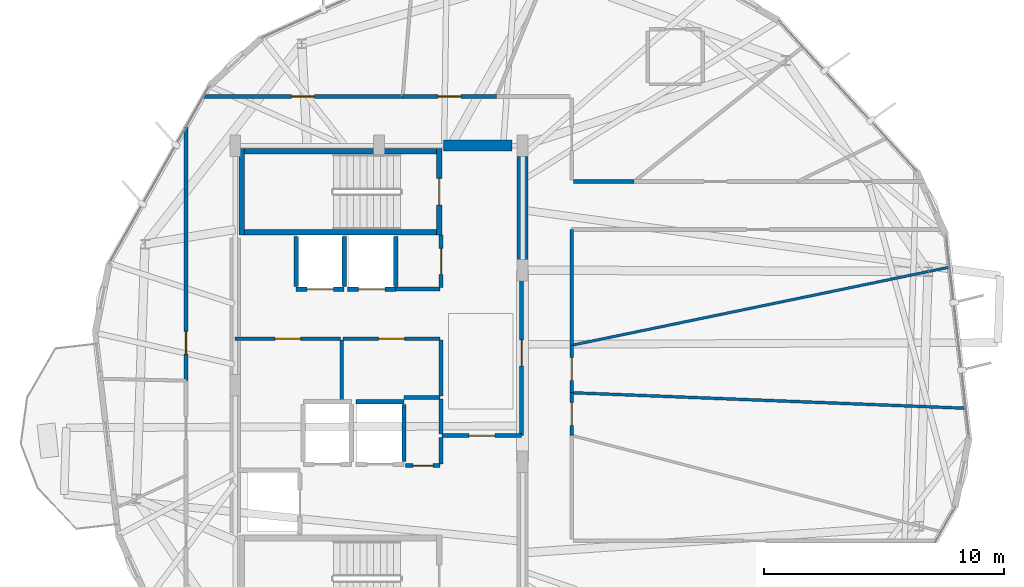
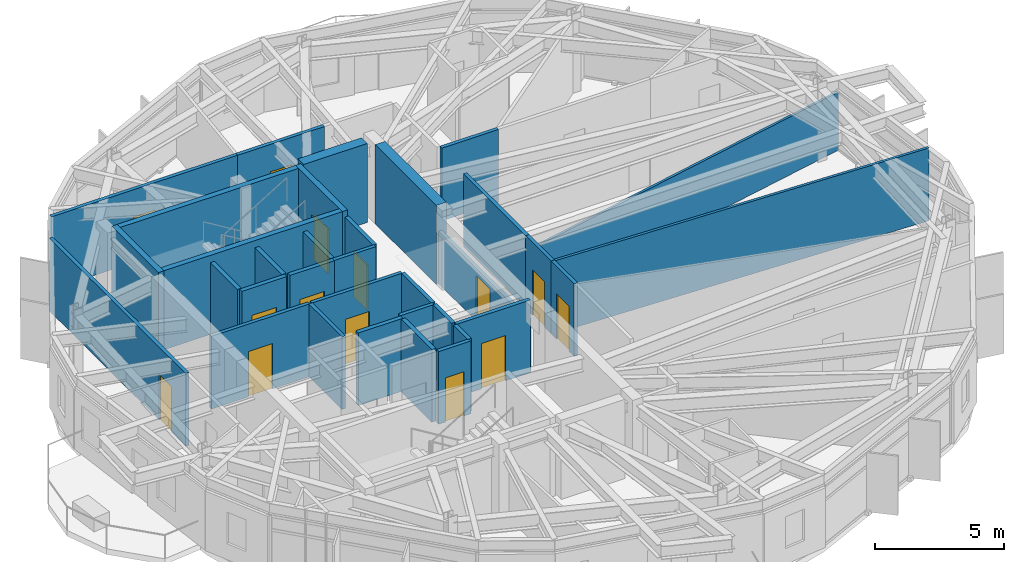
# One storey, part 18 of 23: 34 walls, 14 doors, 14 openings.
"""IFC4 building model written with IfcOpenShell, lengths in metres."""

from ifc_helpers import new_model, si_unit, direction, frame, frame_2d, origin, place, context, subcontext, project, spatial, rectangle, extrude, material, layer, layer_set, type_object, element, fill, save


model = new_model("IFC4")

# Units and contexts
model_context = context("Model", 3, precision=1e-05, world=origin(), true_north=direction((0.0, 1.0)))
body_context = subcontext(model_context, "Body", "Model", "MODEL_VIEW")
ifc_project = project(units=[si_unit("LENGTHUNIT", "METRE"), si_unit("AREAUNIT", "SQUARE_METRE"), si_unit("VOLUMEUNIT", "CUBIC_METRE"), si_unit("PLANEANGLEUNIT", "RADIAN"), si_unit("MASSUNIT", "GRAM", prefix="KILO")], contexts=[model_context])

# Site, building, storey
site_placement = place(None, origin())
site = spatial("IfcSite", under=ifc_project, at=site_placement, CompositionType="ELEMENT")
building_placement = place(site_placement, origin())
building = spatial("IfcBuilding", under=site, at=building_placement, Name="Soratama Intermodal Tower", CompositionType="ELEMENT")
storey_placement = place(building_placement, frame((0.0, 0.0, 261.25)))
storey = spatial("IfcBuildingStorey", under=building, at=storey_placement, Name="L66", CompositionType="ELEMENT", Elevation=261.25)

# Wall, opening, door
ifc_material_1 = material(Name="Fire-rated gypsum stud partition", Category="concrete")
ifc_layer_1 = layer(ifc_material_1, 0.159912109375)
ifc_layer_set_1 = layer_set([ifc_layer_1], Name="Fire-rated gypsum stud partition")
wall_type_1 = type_object("IfcWallType", Name="IW-PART-R160", PredefinedType="PARTITIONING", material=ifc_layer_set_1)
wall_1_placement = place(storey_placement, frame((30.550048828125, 25.18505859375, 0.0), z_axis=(0.0, 0.0, 1.0), x_axis=(0.0, 1.0, 0.0)))
wall_1 = element("IfcWall", 1, at=wall_1_placement, inside=storey, type_object=wall_type_1, Name="L66 Partition W-L66-TP007", PredefinedType="PARTITIONING", context=body_context, shape_type="SweptSolid", body=[
    extrude(rectangle(XDim=10.587890625, YDim=0.159912109375, at=frame_2d((5.2939453125, 0.0))), origin(), (0.0, 0.0, 1.0), 3.449951171875),
])
opening_1_placement = place(wall_1_placement, frame((1.113037109375, 0.0, 0.0)))
opening_1 = element("IfcOpeningElement", 2, at=opening_1_placement, cuts=wall_1, Name="Opening ID-3", PredefinedType="OPENING", context=body_context, shape_type="SweptSolid", body=[
    extrude(rectangle(XDim=0.949951171875, YDim=2.14990234375, at=frame_2d((0.47509765625, 1.074951171875))), frame((0.0, 0.08984375, 0.0), z_axis=(0.0, -1.0, 0.0), x_axis=(1.0, 0.0, 0.0)), (0.0, 0.0, 1.0), 0.179931640625),
])
ifc_material_2 = material(Name="Solid hardwood acoustic door", Category="wood")
door_type_1 = type_object("IfcDoorType", Name="DR-ROOM-950", OperationType="NOTDEFINED", PredefinedType="DOOR", material=ifc_material_2)
door_1_placement = place(opening_1_placement, origin())
door_1 = element("IfcDoor", 3, at=door_1_placement, inside=storey, type_object=door_type_1, Name="L66 Door D-L66-TP004", OperationType="SINGLE_SWING_LEFT", OverallHeight=2.14990234375, OverallWidth=0.949951171875, PredefinedType="DOOR", context=body_context, shape_type="SweptSolid", body=[
    extrude(rectangle(XDim=0.949951171875, YDim=2.14990234375, at=frame_2d((0.47509765625, 1.074951171875))), frame((0.0, 0.02490234375, 0.0), z_axis=(0.0, -1.0, 0.0), x_axis=(1.0, 0.0, 0.0)), (0.0, 0.0, 1.0), 0.050048828125),
])
fill(opening_1, door_1)

wall_2_placement = place(storey_placement, frame((31.27099609375, 37.050048828125, 0.0), z_axis=(0.0, 0.0, 1.0), x_axis=(1.0, 0.0, 0.0)))
wall_2 = element("IfcWall", 4, at=wall_2_placement, inside=storey, type_object=wall_type_1, Name="L66 Partition W-L66-TP010", PredefinedType="PARTITIONING", context=body_context, shape_type="SweptSolid", body=[
    extrude(rectangle(XDim=8.323974609375, YDim=0.159912109375, at=frame_2d((4.162109375, 0.0))), origin(), (0.0, 0.0, 1.0), 3.449951171875),
])
opening_2_placement = place(wall_2_placement, frame((3.68701171875, 0.0, 0.0)))
opening_2 = element("IfcOpeningElement", 5, at=opening_2_placement, cuts=wall_2, Name="Opening ID-3", PredefinedType="OPENING", context=body_context, shape_type="SweptSolid", body=[
    extrude(rectangle(XDim=0.949951171875, YDim=2.14990234375, at=frame_2d((0.47509765625, 1.074951171875))), frame((0.0, 0.08984375, 0.0), z_axis=(0.0, -1.0, 0.0), x_axis=(1.0, 0.0, 0.0)), (0.0, 0.0, 1.0), 0.179931640625),
])
door_2_placement = place(opening_2_placement, origin())
door_2 = element("IfcDoor", 6, at=door_2_placement, inside=storey, type_object=door_type_1, Name="L66 Door D-L66-TP005", OperationType="SINGLE_SWING_RIGHT", OverallHeight=2.14990234375, OverallWidth=0.949951171875, PredefinedType="DOOR", context=body_context, shape_type="SweptSolid", body=[
    extrude(rectangle(XDim=0.949951171875, YDim=2.14990234375, at=frame_2d((0.47509765625, 1.074951171875))), frame((0.0, 0.02490234375, 0.0), z_axis=(0.0, -1.0, 0.0), x_axis=(1.0, 0.0, 0.0)), (0.0, 0.0, 1.0), 0.050048828125),
])
fill(opening_2, door_2)

wall_3_placement = place(storey_placement, frame((44.56005859375, 29.800048828125, 0.0), z_axis=(0.0, 0.0, 1.0), x_axis=(0.0, -1.0, 0.0)))
wall_3 = element("IfcWall", 7, at=wall_3_placement, inside=storey, type_object=wall_type_1, Name="L66 Partition W-L66-TP012", PredefinedType="PARTITIONING", context=body_context, shape_type="SweptSolid", body=[
    extrude(rectangle(XDim=6.91015625, YDim=0.159912109375, at=frame_2d((3.455078125, 0.0))), origin(), (0.0, 0.0, 1.0), 2.489990234375),
])
opening_3_placement = place(wall_3_placement, frame((2.9150390625, 0.0, 0.0)))
opening_3 = element("IfcOpeningElement", 8, at=opening_3_placement, cuts=wall_3, Name="Opening ID-1", PredefinedType="OPENING", context=body_context, shape_type="SweptSolid", body=[
    extrude(rectangle(XDim=1.080078125, YDim=2.14990234375, at=frame_2d((0.5400390625, 1.074951171875))), frame((0.0, 0.08984375, 0.0), z_axis=(0.0, -1.0, 0.0), x_axis=(1.0, 0.0, 0.0)), (0.0, 0.0, 1.0), 0.179931640625),
])
ifc_material_3 = material(Name="Solid hardwood acoustic door", Category="wood")
door_type_2 = type_object("IfcDoorType", Name="DR-LOB-FD60", OperationType="NOTDEFINED", PredefinedType="DOOR", material=ifc_material_3)
door_3_placement = place(opening_3_placement, origin())
door_3 = element("IfcDoor", 9, at=door_3_placement, inside=storey, type_object=door_type_2, Name="L66 Door D-L66-TP006", OperationType="SINGLE_SWING_LEFT", OverallHeight=2.14990234375, OverallWidth=1.080078125, PredefinedType="DOOR", context=body_context, shape_type="SweptSolid", body=[
    extrude(rectangle(XDim=1.080078125, YDim=2.14990234375, at=frame_2d((0.5400390625, 1.074951171875))), frame((0.0, 0.02490234375, 0.0), z_axis=(0.0, -1.0, 0.0), x_axis=(1.0, 0.0, 0.0)), (0.0, 0.0, 1.0), 0.050048828125),
])
fill(opening_3, door_3)

# Wall
wall_4_placement = place(storey_placement, frame((46.64990234375, 31.5, 0.0), z_axis=(0.0, 0.0, 1.0), x_axis=(0.0, -1.0, 0.0)))
element("IfcWall", 10, at=wall_4_placement, inside=storey, type_object=wall_type_1, Name="L66 Partition W-L66-TP018", PredefinedType="PARTITIONING", context=body_context, shape_type="SweptSolid", body=[
    extrude(rectangle(XDim=4.8349609375, YDim=0.159912109375, at=frame_2d((2.41748046875, 0.0))), origin(), (0.0, 0.0, 1.0), 3.449951171875),
])

# Wall, opening, door
wall_5_placement = place(storey_placement, frame((36.989990234375, 26.93994140625, 0.0), z_axis=(0.0, 0.0, 1.0), x_axis=(-1.0, 0.0, 0.0)))
wall_5 = element("IfcWall", 11, at=wall_5_placement, inside=storey, type_object=wall_type_1, Name="L66 Partition W-L66-TP019", PredefinedType="PARTITIONING", context=body_context, shape_type="SweptSolid", body=[
    extrude(rectangle(XDim=4.389892578125, YDim=0.159912109375, at=frame_2d((2.19482421875, 0.0))), origin(), (0.0, 0.0, 1.0), 3.449951171875),
])
opening_4_placement = place(wall_5_placement, frame((1.655029296875, 0.0, 0.0)))
opening_4 = element("IfcOpeningElement", 12, at=opening_4_placement, cuts=wall_5, Name="Opening ID-1", PredefinedType="OPENING", context=body_context, shape_type="SweptSolid", body=[
    extrude(rectangle(XDim=1.080078125, YDim=2.14990234375, at=frame_2d((0.5400390625, 1.074951171875))), frame((0.0, 0.08984375, 0.0), z_axis=(0.0, -1.0, 0.0), x_axis=(1.0, 0.0, 0.0)), (0.0, 0.0, 1.0), 0.179931640625),
])
door_4_placement = place(opening_4_placement, origin())
door_4 = element("IfcDoor", 13, at=door_4_placement, inside=storey, type_object=door_type_2, Name="L66 Door D-L66-TP010", OperationType="SINGLE_SWING_LEFT", OverallHeight=2.14990234375, OverallWidth=1.080078125, PredefinedType="DOOR", context=body_context, shape_type="SweptSolid", body=[
    extrude(rectangle(XDim=1.080078125, YDim=2.14990234375, at=frame_2d((0.5400390625, 1.074951171875))), frame((0.0, 0.02490234375, 0.0), z_axis=(0.0, -1.0, 0.0), x_axis=(1.0, 0.0, 0.0)), (0.0, 0.0, 1.0), 0.050048828125),
])
fill(opening_4, door_4)

wall_6_placement = place(storey_placement, frame((41.159912109375, 26.93994140625, 0.0), z_axis=(0.0, 0.0, 1.0), x_axis=(-1.0, 0.0, 0.0)))
wall_6 = element("IfcWall", 14, at=wall_6_placement, inside=storey, type_object=wall_type_1, Name="L66 Partition W-L66-TP022", PredefinedType="PARTITIONING", context=body_context, shape_type="SweptSolid", body=[
    extrude(rectangle(XDim=4.0498046875, YDim=0.159912109375, at=frame_2d((2.02490234375, 0.0))), origin(), (0.0, 0.0, 1.0), 3.449951171875),
])
opening_5_placement = place(wall_6_placement, frame((1.485107421875, 0.0, 0.0)))
opening_5 = element("IfcOpeningElement", 15, at=opening_5_placement, cuts=wall_6, Name="Opening ID-1", PredefinedType="OPENING", context=body_context, shape_type="SweptSolid", body=[
    extrude(rectangle(XDim=1.080078125, YDim=2.14990234375, at=frame_2d((0.5400390625, 1.074951171875))), frame((0.0, 0.08984375, 0.0), z_axis=(0.0, -1.0, 0.0), x_axis=(1.0, 0.0, 0.0)), (0.0, 0.0, 1.0), 0.179931640625),
])
door_5_placement = place(opening_5_placement, origin())
door_5 = element("IfcDoor", 16, at=door_5_placement, inside=storey, type_object=door_type_2, Name="L66 Door D-L66-TP011", OperationType="SINGLE_SWING_RIGHT", OverallHeight=2.14990234375, OverallWidth=1.080078125, PredefinedType="DOOR", context=body_context, shape_type="SweptSolid", body=[
    extrude(rectangle(XDim=1.080078125, YDim=2.14990234375, at=frame_2d((0.5400390625, 1.074951171875))), frame((0.0, 0.02490234375, 0.0), z_axis=(0.0, -1.0, 0.0), x_axis=(1.0, 0.0, 0.0)), (0.0, 0.0, 1.0), 0.050048828125),
])
fill(opening_5, door_5)

wall_7_placement = place(storey_placement, frame((39.594970703125, 37.050048828125, 0.0), z_axis=(0.0, 0.0, 1.0), x_axis=(1.0, 0.0, 0.0)))
wall_7 = element("IfcWall", 17, at=wall_7_placement, inside=storey, type_object=wall_type_1, Name="L66 Partition W-L66-TP024", PredefinedType="PARTITIONING", context=body_context, shape_type="SweptSolid", body=[
    extrude(rectangle(XDim=3.9130859375, YDim=0.159912109375, at=frame_2d((1.95654296875, 0.0))), origin(), (0.0, 0.0, 1.0), 3.449951171875),
])
opening_6_placement = place(wall_7_placement, frame((1.48193359375, 0.0, 0.0)))
opening_6 = element("IfcOpeningElement", 18, at=opening_6_placement, cuts=wall_7, Name="Opening ID-3", PredefinedType="OPENING", context=body_context, shape_type="SweptSolid", body=[
    extrude(rectangle(XDim=0.949951171875, YDim=2.14990234375, at=frame_2d((0.47509765625, 1.074951171875))), frame((0.0, 0.08984375, 0.0), z_axis=(0.0, -1.0, 0.0), x_axis=(1.0, 0.0, 0.0)), (0.0, 0.0, 1.0), 0.179931640625),
])
door_6_placement = place(opening_6_placement, origin())
door_6 = element("IfcDoor", 19, at=door_6_placement, inside=storey, type_object=door_type_1, Name="L66 Door D-L66-TP013", OperationType="SINGLE_SWING_RIGHT", OverallHeight=2.14990234375, OverallWidth=0.949951171875, PredefinedType="DOOR", context=body_context, shape_type="SweptSolid", body=[
    extrude(rectangle(XDim=0.949951171875, YDim=2.14990234375, at=frame_2d((0.47509765625, 1.074951171875))), frame((0.0, 0.02490234375, 0.0), z_axis=(0.0, -1.0, 0.0), x_axis=(1.0, 0.0, 0.0)), (0.0, 0.0, 1.0), 0.050048828125),
])
fill(opening_6, door_6)

# Walls
wall_8_placement = place(storey_placement, frame((37.050048828125, 26.8798828125, 0.0), z_axis=(0.0, 0.0, 1.0), x_axis=(0.0, -1.0, 0.0)))
element("IfcWall", 20, at=wall_8_placement, inside=storey, type_object=wall_type_1, Name="L66 Partition W-L66-TP031", PredefinedType="PARTITIONING", context=body_context, shape_type="SweptSolid", body=[
    extrude(rectangle(XDim=2.579833984375, YDim=0.159912109375, at=frame_2d((1.2900390625, 0.0))), origin(), (0.0, 0.0, 1.0), 3.449951171875),
])
wall_9_placement = place(storey_placement, frame((46.719970703125, 33.5, 0.0), z_axis=(0.0, 0.0, 1.0), x_axis=(1.0, 0.0, 0.0)))
element("IfcWall", 21, at=wall_9_placement, inside=storey, type_object=wall_type_1, Name="L66 Partition W-L66-TP032", PredefinedType="PARTITIONING", context=body_context, shape_type="SweptSolid", body=[
    extrude(rectangle(XDim=2.533935546875, YDim=0.159912109375, at=frame_2d((1.26708984375, 0.0))), origin(), (0.0, 0.0, 1.0), 3.449951171875),
])
wall_10_placement = place(storey_placement, frame((41.199951171875, 24.550048828125, 0.0), z_axis=(0.0, 0.0, 1.0), x_axis=(0.0, 1.0, 0.0)))
element("IfcWall", 22, at=wall_10_placement, inside=storey, type_object=wall_type_1, Name="L66 Partition W-L66-TP033", PredefinedType="PARTITIONING", context=body_context, shape_type="SweptSolid", body=[
    extrude(rectangle(XDim=2.329833984375, YDim=0.159912109375, at=frame_2d((1.1650390625, 0.0))), origin(), (0.0, 0.0, 1.0), 3.449951171875),
])

# Wall, opening, door
wall_11_placement = place(storey_placement, frame((41.199951171875, 29.070068359375, 0.0), z_axis=(0.0, 0.0, 1.0), x_axis=(0.0, 1.0, 0.0)))
wall_11 = element("IfcWall", 23, at=wall_11_placement, inside=storey, type_object=wall_type_1, Name="L66 Partition W-L66-TP034", PredefinedType="PARTITIONING", context=body_context, shape_type="SweptSolid", body=[
    extrude(rectangle(XDim=2.18994140625, YDim=0.159912109375, at=frame_2d((1.094970703125, 0.0))), origin(), (0.0, 0.0, 1.0), 3.449951171875),
])
opening_7_placement = place(wall_11_placement, frame((0.554931640625, 0.0, 0.0)))
opening_7 = element("IfcOpeningElement", 24, at=opening_7_placement, cuts=wall_11, Name="Opening ID-1", PredefinedType="OPENING", context=body_context, shape_type="SweptSolid", body=[
    extrude(rectangle(XDim=1.080078125, YDim=2.14990234375, at=frame_2d((0.5400390625, 1.074951171875))), frame((0.0, 0.08984375, 0.0), z_axis=(0.0, -1.0, 0.0), x_axis=(1.0, 0.0, 0.0)), (0.0, 0.0, 1.0), 0.179931640625),
])
door_7_placement = place(opening_7_placement, origin())
door_7 = element("IfcDoor", 25, at=door_7_placement, inside=storey, type_object=door_type_2, Name="L66 Door D-L66-TP017", OperationType="SINGLE_SWING_RIGHT", OverallHeight=2.14990234375, OverallWidth=1.080078125, PredefinedType="DOOR", context=body_context, shape_type="SweptSolid", body=[
    extrude(rectangle(XDim=1.080078125, YDim=2.14990234375, at=frame_2d((0.5400390625, 1.074951171875))), frame((0.0, 0.02490234375, 0.0), z_axis=(0.0, -1.0, 0.0), x_axis=(1.0, 0.0, 0.0)), (0.0, 0.0, 1.0), 0.050048828125),
])
fill(opening_7, door_7)

wall_12_placement = place(storey_placement, frame((46.64990234375, 26.6650390625, 0.0), z_axis=(0.0, 0.0, 1.0), x_axis=(0.0, -1.0, 0.0)))
wall_12 = element("IfcWall", 26, at=wall_12_placement, inside=storey, type_object=wall_type_1, Name="L66 Partition W-L66-TP043", PredefinedType="PARTITIONING", context=body_context, shape_type="SweptSolid", body=[
    extrude(rectangle(XDim=1.98193359375, YDim=0.159912109375, at=frame_2d((0.990966796875, 0.0))), origin(), (0.0, 0.0, 1.0), 3.449951171875),
])
opening_8_placement = place(wall_12_placement, frame((0.51611328125, 0.0, 0.0)))
opening_8 = element("IfcOpeningElement", 27, at=opening_8_placement, cuts=wall_12, Name="Opening ID-3", PredefinedType="OPENING", context=body_context, shape_type="SweptSolid", body=[
    extrude(rectangle(XDim=0.949951171875, YDim=2.14990234375, at=frame_2d((0.47509765625, 1.074951171875))), frame((0.0, 0.08984375, 0.0), z_axis=(0.0, -1.0, 0.0), x_axis=(1.0, 0.0, 0.0)), (0.0, 0.0, 1.0), 0.179931640625),
])
door_8_placement = place(opening_8_placement, origin())
door_8 = element("IfcDoor", 28, at=door_8_placement, inside=storey, type_object=door_type_1, Name="L66 Door D-L66-TP020", OperationType="SINGLE_SWING_LEFT", OverallHeight=2.14990234375, OverallWidth=0.949951171875, PredefinedType="DOOR", context=body_context, shape_type="SweptSolid", body=[
    extrude(rectangle(XDim=0.949951171875, YDim=2.14990234375, at=frame_2d((0.47509765625, 1.074951171875))), frame((0.0, 0.02490234375, 0.0), z_axis=(0.0, -1.0, 0.0), x_axis=(1.0, 0.0, 0.0)), (0.0, 0.0, 1.0), 0.050048828125),
])
fill(opening_8, door_8)

# Wall
wall_13_placement = place(storey_placement, frame((39.300048828125, 29.010009765625, 0.0), z_axis=(0.0, 0.0, 1.0), x_axis=(1.0, 0.0, 0.0)))
element("IfcWall", 29, at=wall_13_placement, inside=storey, type_object=wall_type_1, Name="L66 Partition W-L66-TP046", PredefinedType="PARTITIONING", context=body_context, shape_type="SweptSolid", body=[
    extrude(rectangle(XDim=1.85986328125, YDim=0.159912109375, at=frame_2d((0.929931640625, 0.0))), origin(), (0.0, 0.0, 1.0), 3.449951171875),
])

# Wall, opening, door
wall_14_placement = place(storey_placement, frame((46.64990234375, 24.68310546875, 0.0), z_axis=(0.0, 0.0, 1.0), x_axis=(0.0, -1.0, 0.0)))
wall_14 = element("IfcWall", 30, at=wall_14_placement, inside=storey, type_object=wall_type_1, Name="L66 Partition W-L66-TP047", PredefinedType="PARTITIONING", context=body_context, shape_type="SweptSolid", body=[
    extrude(rectangle(XDim=1.7822265625, YDim=0.159912109375, at=frame_2d((0.89111328125, 0.0))), origin(), (0.0, 0.0, 1.0), 3.449951171875),
])
opening_9_placement = place(wall_14_placement, frame((0.416015625, 0.0, 0.0)))
opening_9 = element("IfcOpeningElement", 31, at=opening_9_placement, cuts=wall_14, Name="Opening ID-3", PredefinedType="OPENING", context=body_context, shape_type="SweptSolid", body=[
    extrude(rectangle(XDim=0.949951171875, YDim=2.14990234375, at=frame_2d((0.47509765625, 1.074951171875))), frame((0.0, 0.08984375, 0.0), z_axis=(0.0, -1.0, 0.0), x_axis=(1.0, 0.0, 0.0)), (0.0, 0.0, 1.0), 0.179931640625),
])
door_9_placement = place(opening_9_placement, origin())
door_9 = element("IfcDoor", 32, at=door_9_placement, inside=storey, type_object=door_type_1, Name="L66 Door D-L66-TP022", OperationType="SINGLE_SWING_LEFT", OverallHeight=2.14990234375, OverallWidth=0.949951171875, PredefinedType="DOOR", context=body_context, shape_type="SweptSolid", body=[
    extrude(rectangle(XDim=0.949951171875, YDim=2.14990234375, at=frame_2d((0.47509765625, 1.074951171875))), frame((0.0, 0.02490234375, 0.0), z_axis=(0.0, -1.0, 0.0), x_axis=(1.0, 0.0, 0.0)), (0.0, 0.0, 1.0), 0.050048828125),
])
fill(opening_9, door_9)

# Walls
wall_15_placement = place(storey_placement, frame((39.64990234375, 24.485107421875, 0.0), z_axis=(0.0, 0.0, 1.0), x_axis=(1.0, 0.0, 0.0)))
element("IfcWall", 33, at=wall_15_placement, inside=storey, type_object=wall_type_1, Name="L66 Partition W-L66-TP048", PredefinedType="PARTITIONING", context=body_context, shape_type="SweptSolid", body=[
    extrude(rectangle(XDim=1.510009765625, YDim=0.159912109375, at=frame_2d((0.7548828125, 0.0))), origin(), (0.0, 0.0, 1.0), 3.449951171875),
])
wall_16_placement = place(storey_placement, frame((41.199951171875, 22.9599609375, 0.0), z_axis=(0.0, 0.0, 1.0), x_axis=(0.0, 1.0, 0.0)))
element("IfcWall", 34, at=wall_16_placement, inside=storey, type_object=wall_type_1, Name="L66 Partition W-L66-TP049", PredefinedType="PARTITIONING", context=body_context, shape_type="SweptSolid", body=[
    extrude(rectangle(XDim=1.4599609375, YDim=0.159912109375, at=frame_2d((0.72998046875, 0.0))), origin(), (0.0, 0.0, 1.0), 3.449951171875),
])

# Wall, opening, door
ifc_material_4 = material(Name="Fire-rated gypsum stud partition", Category="concrete")
ifc_layer_2 = layer(ifc_material_4, 0.169921875)
ifc_layer_set_2 = layer_set([ifc_layer_2], Name="Fire-rated gypsum stud partition")
wall_type_2 = type_object("IfcWallType", Name="IW-PART-R170", PredefinedType="PARTITIONING", material=ifc_layer_set_2)
wall_17_placement = place(storey_placement, frame((41.239990234375, 22.889892578125, 0.0), z_axis=(0.0, 0.0, 1.0), x_axis=(1.0, 0.0, 0.0)))
wall_17 = element("IfcWall", 35, at=wall_17_placement, inside=storey, type_object=wall_type_2, Name="L66 Partition W-L66-TP027", PredefinedType="PARTITIONING", context=body_context, shape_type="SweptSolid", body=[
    extrude(rectangle(XDim=3.320068359375, YDim=0.169921875, at=frame_2d((1.66015625, 0.0))), origin(), (0.0, 0.0, 1.0), 3.449951171875),
])
opening_10_placement = place(wall_17_placement, frame((1.1201171875, 0.0, 0.0)))
opening_10 = element("IfcOpeningElement", 36, at=opening_10_placement, cuts=wall_17, Name="Opening ID-0", PredefinedType="OPENING", context=body_context, shape_type="SweptSolid", body=[
    extrude(rectangle(XDim=1.080078125, YDim=2.14990234375, at=frame_2d((0.5400390625, 1.074951171875))), frame((0.0, 0.094970703125, 0.0), z_axis=(0.0, -1.0, 0.0), x_axis=(1.0, 0.0, 0.0)), (0.0, 0.0, 1.0), 0.18994140625),
])
ifc_material_5 = material(Name="Solid hardwood acoustic door", Category="wood")
door_type_3 = type_object("IfcDoorType", Name="DR-LOB-FD90", OperationType="NOTDEFINED", PredefinedType="DOOR", material=ifc_material_5)
door_10_placement = place(opening_10_placement, origin())
door_10 = element("IfcDoor", 37, at=door_10_placement, inside=storey, type_object=door_type_3, Name="L66 Door D-L66-TP015", OperationType="SINGLE_SWING_RIGHT", OverallHeight=2.14990234375, OverallWidth=1.080078125, PredefinedType="DOOR", context=body_context, shape_type="SweptSolid", body=[
    extrude(rectangle(XDim=1.080078125, YDim=2.14990234375, at=frame_2d((0.5400390625, 1.074951171875))), frame((0.0, 0.02490234375, 0.0), z_axis=(0.0, -1.0, 0.0), x_axis=(1.0, 0.0, 0.0)), (0.0, 0.0, 1.0), 0.050048828125),
])
fill(opening_10, door_10)

wall_18_placement = place(storey_placement, frame((39.719970703125, 21.639892578125, 0.0), z_axis=(0.0, 0.0, 1.0), x_axis=(1.0, 0.0, 0.0)))
wall_18 = element("IfcWall", 38, at=wall_18_placement, inside=storey, type_object=wall_type_2, Name="L66 Partition W-L66-TP050", PredefinedType="PARTITIONING", context=body_context, shape_type="SweptSolid", body=[
    extrude(rectangle(XDim=1.43994140625, YDim=0.169921875, at=frame_2d((0.719970703125, 0.0))), origin(), (0.0, 0.0, 1.0), 3.449951171875),
])
opening_11_placement = place(wall_18_placement, frame((0.294921875, 0.0, 0.0)))
opening_11 = element("IfcOpeningElement", 39, at=opening_11_placement, cuts=wall_18, Name="Opening ID-4", PredefinedType="OPENING", context=body_context, shape_type="SweptSolid", body=[
    extrude(rectangle(XDim=0.85009765625, YDim=2.10009765625, at=frame_2d((0.425048828125, 1.050048828125))), frame((0.0, 0.094970703125, 0.0), z_axis=(0.0, -1.0, 0.0), x_axis=(1.0, 0.0, 0.0)), (0.0, 0.0, 1.0), 0.18994140625),
])
ifc_material_6 = material(Name="Solid hardwood acoustic door", Category="wood")
door_type_4 = type_object("IfcDoorType", Name="DR-BATH-850", OperationType="NOTDEFINED", PredefinedType="DOOR", material=ifc_material_6)
door_11_placement = place(opening_11_placement, origin())
door_11 = element("IfcDoor", 40, at=door_11_placement, inside=storey, type_object=door_type_4, Name="L66 Door D-L66-TP023", OperationType="SINGLE_SWING_RIGHT", OverallHeight=2.10009765625, OverallWidth=0.85009765625, PredefinedType="DOOR", context=body_context, shape_type="SweptSolid", body=[
    extrude(rectangle(XDim=0.85009765625, YDim=2.10009765625, at=frame_2d((0.425048828125, 1.050048828125))), frame((0.0, 0.02490234375, 0.0), z_axis=(0.0, -1.0, 0.0), x_axis=(1.0, 0.0, 0.0)), (0.0, 0.0, 1.0), 0.050048828125),
])
fill(opening_11, door_11)

# Walls
wall_19_placement = place(storey_placement, frame((41.199951171875, 21.699951171875, 0.0), z_axis=(0.0, 0.0, 1.0), x_axis=(0.0, 1.0, 0.0)))
element("IfcWall", 41, at=wall_19_placement, inside=storey, type_object=wall_type_2, Name="L66 Partition W-L66-TP054", PredefinedType="PARTITIONING", context=body_context, shape_type="SweptSolid", body=[
    extrude(rectangle(XDim=1.1201171875, YDim=0.169921875, at=frame_2d((0.56005859375, 0.0))), origin(), (0.0, 0.0, 1.0), 3.449951171875),
])
ifc_material_7 = material(Name="Fire-rated gypsum stud partition", Category="concrete")
ifc_layer_3 = layer(ifc_material_7, 0.110107421875)
ifc_layer_set_3 = layer_set([ifc_layer_3], Name="Fire-rated gypsum stud partition")
wall_type_3 = type_object("IfcWallType", Name="IW-PART-S110", PredefinedType="PARTITIONING", material=ifc_layer_set_3)
wall_20_placement = place(storey_placement, frame((46.64990234375, 26.6650390625, 0.0), z_axis=(0.0, 0.0, 1.0), x_axis=(0.979300717825, 0.202410731106, 0.0)))
element("IfcWall", 42, at=wall_20_placement, inside=storey, type_object=wall_type_3, Name="L66 Partition W-L66-TP002", PredefinedType="PARTITIONING", context=body_context, shape_type="SweptSolid", body=[
    extrude(rectangle(XDim=16.115478515625, YDim=0.110107421875, at=frame_2d((8.0576171875, 0.0))), origin(), (0.0, 0.0, 1.0), 2.7451171875),
])
ifc_material_8 = material(Name="Fire-rated gypsum stud partition", Category="concrete")
ifc_layer_4 = layer(ifc_material_8, 0.1201171875)
ifc_layer_set_4 = layer_set([ifc_layer_4], Name="Fire-rated gypsum stud partition")
wall_type_4 = type_object("IfcWallType", Name="IW-PART-S120", PredefinedType="PARTITIONING", material=ifc_layer_set_4)
wall_21_placement = place(storey_placement, frame((63.10791015625, 24.034912109375, 0.0), z_axis=(0.0, 0.0, 1.0), x_axis=(-0.999225324632, 0.039354168945, 0.0)))
element("IfcWall", 43, at=wall_21_placement, inside=storey, type_object=wall_type_4, Name="L66 Partition W-L66-TP001", PredefinedType="PARTITIONING", context=body_context, shape_type="SweptSolid", body=[
    extrude(rectangle(XDim=16.470703125, YDim=0.1201171875, at=frame_2d((8.2353515625, 0.0))), origin(), (0.0, 0.0, 1.0), 3.449951171875),
])
ifc_material_9 = material(Name="Concrete f'c 42 MPa", Category="concrete")
ifc_layer_5 = layer(ifc_material_9, 0.18505859375)
ifc_layer_set_5 = layer_set([ifc_layer_5], Name="Concrete f'c 42 MPa")
wall_type_5 = type_object("IfcWallType", Name="IW-SHAFT-185", PredefinedType="SOLIDWALL", material=ifc_layer_set_5)
wall_22_placement = place(storey_placement, frame((37.64990234375, 24.300048828125, 0.0), z_axis=(0.0, 0.0, 1.0), x_axis=(1.0, 0.0, 0.0)))
element("IfcWall", 44, at=wall_22_placement, inside=storey, type_object=wall_type_5, Name="L66 FFL-2 Hoistway Wall N", PredefinedType="SOLIDWALL", context=body_context, shape_type="SweptSolid", body=[
    extrude(rectangle(XDim=2.0, YDim=0.18505859375, at=frame_2d((1.0, 0.0))), origin(), (0.0, 0.0, 1.0), 3.449951171875),
])
wall_23_placement = place(storey_placement, frame((39.64990234375, 21.81005859375, 0.0), z_axis=(0.0, 0.0, 1.0), x_axis=(0.0, 1.0, 0.0)))
element("IfcWall", 45, at=wall_23_placement, inside=storey, type_object=wall_type_5, Name="L66 FFL-2 Hoistway Wall E", PredefinedType="SOLIDWALL", context=body_context, shape_type="SweptSolid", body=[
    extrude(rectangle(XDim=2.3798828125, YDim=0.18505859375, at=frame_2d((1.18994140625, 0.0))), origin(), (0.0, 0.0, 1.0), 3.449951171875),
])

# Wall, opening, door
wall_24_placement = place(storey_placement, frame((35.14990234375, 29.0, 0.0), z_axis=(0.0, 0.0, 1.0), x_axis=(1.0, 0.0, 0.0)))
wall_24 = element("IfcWall", 46, at=wall_24_placement, inside=storey, type_object=wall_type_5, Name="L66 PL-H1 Hoistway Wall S", PredefinedType="SOLIDWALL", context=body_context, shape_type="SweptSolid", body=[
    extrude(rectangle(XDim=2.0, YDim=0.18505859375, at=frame_2d((1.0, 0.0))), origin(), (0.0, 0.0, 1.0), 3.449951171875),
])
opening_12_placement = place(wall_24_placement, frame((0.449951171875, 0.0, 0.0)))
opening_12 = element("IfcOpeningElement", 47, at=opening_12_placement, cuts=wall_24, Name="Opening LD-1", PredefinedType="OPENING", context=body_context, shape_type="SweptSolid", body=[
    extrude(rectangle(XDim=1.10009765625, YDim=2.14990234375, at=frame_2d((0.550048828125, 1.074951171875))), frame((0.0, 0.1025390625, 0.0), z_axis=(0.0, -1.0, 0.0), x_axis=(1.0, 0.0, 0.0)), (0.0, 0.0, 1.0), 0.205078125),
])
ifc_material_10 = material(Name="Steel fire door", Category="steel")
door_type_5 = type_object("IfcDoorType", Name="DR-LIFT-SLIDE", OperationType="NOTDEFINED", PredefinedType="DOOR", material=ifc_material_10)
door_12_placement = place(opening_12_placement, origin())
door_12 = element("IfcDoor", 48, at=door_12_placement, inside=storey, type_object=door_type_5, Name="L66 PL-H1 Sliding Landing Door", OperationType="SLIDING_TO_LEFT", OverallHeight=2.14990234375, OverallWidth=1.10009765625, PredefinedType="DOOR", context=body_context, shape_type="SweptSolid", body=[
    extrude(rectangle(XDim=1.10009765625, YDim=2.14990234375, at=frame_2d((0.550048828125, 1.074951171875))), frame((0.0, 0.02490234375, 0.0), z_axis=(0.0, -1.0, 0.0), x_axis=(1.0, 0.0, 0.0)), (0.0, 0.0, 1.0), 0.050048828125),
])
fill(opening_12, door_12)

# Walls
for number, where, z_axis, x_axis, name in (
    (49, (35.14990234375, 29.110107421875, 0.0), (0.0, 0.0, 1.0), (0.0, 1.0, 0.0), "L66 PL-H1 Hoistway Wall W"),
    (50, (37.14990234375, 29.110107421875, 0.0), (0.0, 0.0, 1.0), (0.0, 1.0, 0.0), "L66 PL-H1 Hoistway Wall E"),
):
    element("IfcWall", number, at=place(storey_placement, frame(where, z_axis=z_axis, x_axis=x_axis)), inside=storey, type_object=wall_type_5, Name=name, PredefinedType="SOLIDWALL", context=body_context, shape_type="SweptSolid", body=[
        extrude(rectangle(XDim=2.099853515625, YDim=0.18505859375, at=frame_2d((1.0498046875, 0.0))), origin(), (0.0, 0.0, 1.0), 3.449951171875),
    ])

# Wall, opening, door
wall_25_placement = place(storey_placement, frame((37.300048828125, 29.0, 0.0), z_axis=(0.0, 0.0, 1.0), x_axis=(1.0, 0.0, 0.0)))
wall_25 = element("IfcWall", 51, at=wall_25_placement, inside=storey, type_object=wall_type_5, Name="L66 PL-H2 Hoistway Wall S", PredefinedType="SOLIDWALL", context=body_context, shape_type="SweptSolid", body=[
    extrude(rectangle(XDim=2.0, YDim=0.18505859375, at=frame_2d((1.0, 0.0))), origin(), (0.0, 0.0, 1.0), 3.449951171875),
])
opening_13_placement = place(wall_25_placement, frame((0.449951171875, 0.0, 0.0)))
opening_13 = element("IfcOpeningElement", 52, at=opening_13_placement, cuts=wall_25, Name="Opening LD-1", PredefinedType="OPENING", context=body_context, shape_type="SweptSolid", body=[
    extrude(rectangle(XDim=1.10009765625, YDim=2.14990234375, at=frame_2d((0.550048828125, 1.074951171875))), frame((0.0, 0.1025390625, 0.0), z_axis=(0.0, -1.0, 0.0), x_axis=(1.0, 0.0, 0.0)), (0.0, 0.0, 1.0), 0.205078125),
])
door_13_placement = place(opening_13_placement, origin())
door_13 = element("IfcDoor", 53, at=door_13_placement, inside=storey, type_object=door_type_5, Name="L66 PL-H2 Sliding Landing Door", OperationType="SLIDING_TO_LEFT", OverallHeight=2.14990234375, OverallWidth=1.10009765625, PredefinedType="DOOR", context=body_context, shape_type="SweptSolid", body=[
    extrude(rectangle(XDim=1.10009765625, YDim=2.14990234375, at=frame_2d((0.550048828125, 1.074951171875))), frame((0.0, 0.02490234375, 0.0), z_axis=(0.0, -1.0, 0.0), x_axis=(1.0, 0.0, 0.0)), (0.0, 0.0, 1.0), 0.050048828125),
])
fill(opening_13, door_13)

# Walls
wall_26_placement = place(storey_placement, frame((39.300048828125, 29.110107421875, 0.0), z_axis=(0.0, 0.0, 1.0), x_axis=(0.0, 1.0, 0.0)))
element("IfcWall", 54, at=wall_26_placement, inside=storey, type_object=wall_type_5, Name="L66 PL-H2 Hoistway Wall E", PredefinedType="SOLIDWALL", context=body_context, shape_type="SweptSolid", body=[
    extrude(rectangle(XDim=2.099853515625, YDim=0.18505859375, at=frame_2d((1.0498046875, 0.0))), origin(), (0.0, 0.0, 1.0), 3.449951171875),
])
ifc_material_11 = material(Name="Concrete f'c 56 MPa", Category="concrete")
ifc_layer_6 = layer(ifc_material_11, 0.449951171875)
ifc_layer_set_6 = layer_set([ifc_layer_6], Name="Concrete f'c 56 MPa")
wall_type_6 = type_object("IfcWallType", Name="SW-CORE-450", PredefinedType="SHEAR", material=ifc_layer_set_6)
wall_27_placement = place(storey_placement, frame((41.300048828125, 35.0, 0.0), z_axis=(0.0, 0.0, 1.0), x_axis=(1.0, 0.0, 0.0)))
element("IfcWall", 55, at=wall_27_placement, inside=storey, type_object=wall_type_6, Name="L66 Core Shear Wall CW-NE", PredefinedType="SHEAR", context=body_context, shape_type="SweptSolid", body=[
    extrude(rectangle(XDim=2.849853515625, YDim=0.449951171875, at=frame_2d((1.4248046875, 0.0))), origin(), (0.0, 0.0, 1.0), 3.75),
])
wall_28_placement = place(storey_placement, frame((44.60009765625, 29.800048828125, 0.0), z_axis=(0.0, 0.0, 1.0), x_axis=(0.0, 1.0, 0.0)))
element("IfcWall", 56, at=wall_28_placement, inside=storey, type_object=wall_type_6, Name="L66 Core Shear Wall CW-EN", PredefinedType="SHEAR", context=body_context, shape_type="SweptSolid", body=[
    extrude(rectangle(XDim=4.75, YDim=0.449951171875, at=frame_2d((2.375, 0.0))), origin(), (0.0, 0.0, 1.0), 3.75),
])
ifc_material_12 = material(Name="Concrete f'c 56 MPa", Category="concrete")
ifc_layer_7 = layer(ifc_material_12, 0.239990234375)
ifc_layer_set_7 = layer_set([ifc_layer_7], Name="Concrete f'c 56 MPa")
wall_type_7 = type_object("IfcWallType", Name="SW-STAIR-240", PredefinedType="SHEAR", material=ifc_layer_set_7)
wall_29_placement = place(storey_placement, frame((32.8798828125, 31.260009765625, 0.0), z_axis=(0.0, 0.0, 1.0), x_axis=(0.0, 1.0, 0.0)))
element("IfcWall", 57, at=wall_29_placement, inside=storey, type_object=wall_type_7, Name="L66 ST-2 Shaft Shear Wall W", PredefinedType="SHEAR", context=body_context, shape_type="SweptSolid", body=[
    extrude(rectangle(XDim=3.6298828125, YDim=0.239990234375, at=frame_2d((1.81494140625, 0.0))), origin(), (0.0, 0.0, 1.0), 3.75),
])

# Wall, opening, door
wall_30_placement = place(storey_placement, frame((41.1201171875, 31.260009765625, 0.0), z_axis=(0.0, 0.0, 1.0), x_axis=(0.0, 1.0, 0.0)))
wall_30 = element("IfcWall", 58, at=wall_30_placement, inside=storey, type_object=wall_type_7, Name="L66 ST-2 Shaft Shear Wall E", PredefinedType="SHEAR", context=body_context, shape_type="SweptSolid", body=[
    extrude(rectangle(XDim=3.6298828125, YDim=0.239990234375, at=frame_2d((1.81494140625, 0.0))), origin(), (0.0, 0.0, 1.0), 3.75),
])
opening_14_placement = place(wall_30_placement, frame((1.2548828125, 0.0, 0.0)))
opening_14 = element("IfcOpeningElement", 59, at=opening_14_placement, cuts=wall_30, Name="Opening SD-1", PredefinedType="OPENING", context=body_context, shape_type="SweptSolid", body=[
    extrude(rectangle(XDim=1.1201171875, YDim=2.14990234375, at=frame_2d((0.56005859375, 1.074951171875))), frame((0.0, 0.1298828125, 0.0), z_axis=(0.0, -1.0, 0.0), x_axis=(1.0, 0.0, 0.0)), (0.0, 0.0, 1.0), 0.260009765625),
])
ifc_material_13 = material(Name="Steel fire door", Category="steel")
door_type_6 = type_object("IfcDoorType", Name="DR-STAIR-FD90", OperationType="NOTDEFINED", PredefinedType="DOOR", material=ifc_material_13)
door_14_placement = place(opening_14_placement, origin())
door_14 = element("IfcDoor", 60, at=door_14_placement, inside=storey, type_object=door_type_6, Name="L66 ST-2 Exit Stair Door", OperationType="SINGLE_SWING_RIGHT", OverallHeight=2.14990234375, OverallWidth=1.1201171875, PredefinedType="DOOR", context=body_context, shape_type="SweptSolid", body=[
    extrude(rectangle(XDim=1.1201171875, YDim=2.14990234375, at=frame_2d((0.56005859375, 1.074951171875))), frame((0.0, 0.02490234375, 0.0), z_axis=(0.0, -1.0, 0.0), x_axis=(1.0, 0.0, 0.0)), (0.0, 0.0, 1.0), 0.050048828125),
])
fill(opening_14, door_14)

# Walls
for number, where, z_axis, x_axis, name in (
    (61, (33.0, 31.3798828125, 0.0), (0.0, 0.0, 1.0), (1.0, 0.0, 0.0), "L66 ST-2 Shaft Shear Wall S"),
    (62, (33.0, 34.77001953125, 0.0), (0.0, 0.0, 1.0), (1.0, 0.0, 0.0), "L66 ST-2 Shaft Shear Wall N"),
):
    element("IfcWall", number, at=place(storey_placement, frame(where, z_axis=z_axis, x_axis=x_axis)), inside=storey, type_object=wall_type_7, Name=name, PredefinedType="SHEAR", context=body_context, shape_type="SweptSolid", body=[
        extrude(rectangle(XDim=8.0, YDim=0.239990234375, at=frame_2d((4.0, 0.0))), origin(), (0.0, 0.0, 1.0), 3.75),
    ])

save(model, "model.ifc")
